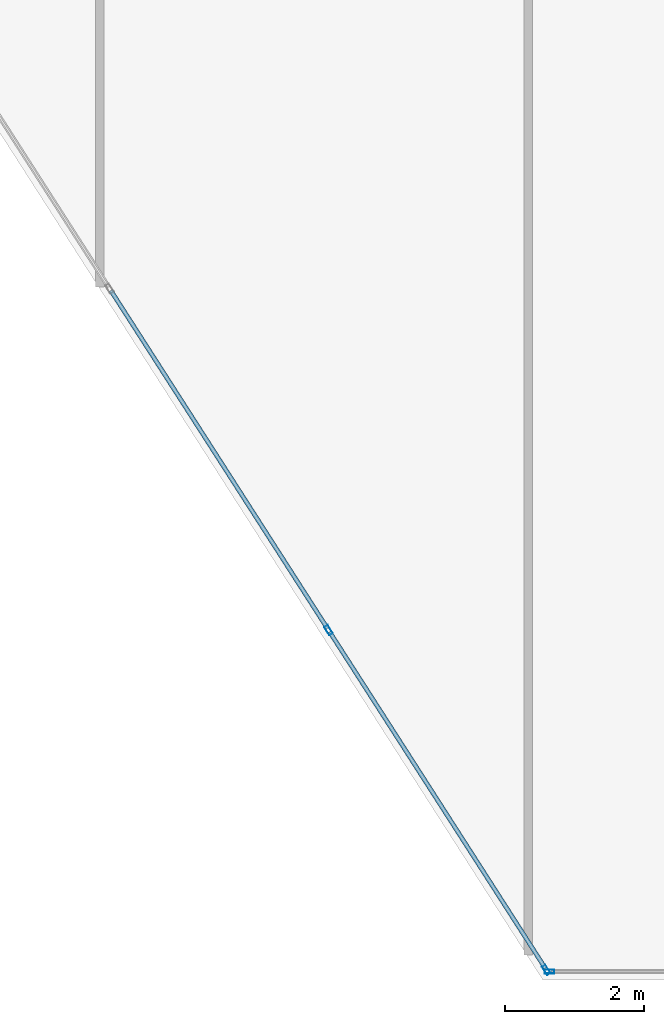
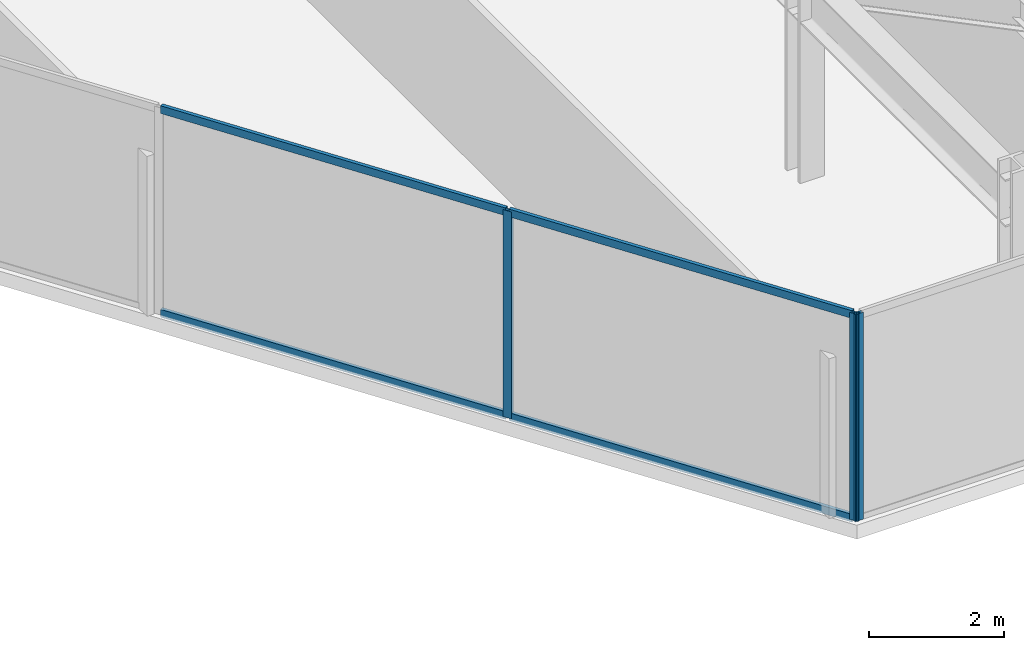
# One storey, part 15 of 26: 7 members, 2 elements without a shape of their own.
"""IFC4 building model written with IfcOpenShell, lengths in metres."""

from ifc_helpers import new_model, si_unit, direction, frame, origin, origin_2d, place, context, subcontext, project, spatial, hollow_rectangle, extrude, material, layer, layer_set, material_profile, profile_set, type_object, element, aggregate, save


model = new_model("IFC4")

# Units and contexts
model_context = context("Model", 3, precision=1e-05, world=origin(), true_north=direction((0.0, 1.0)))
body_context = subcontext(model_context, "Body", "Model", "MODEL_VIEW")
ifc_project = project(units=[si_unit("LENGTHUNIT", "METRE"), si_unit("AREAUNIT", "SQUARE_METRE"), si_unit("VOLUMEUNIT", "CUBIC_METRE"), si_unit("PLANEANGLEUNIT", "RADIAN"), si_unit("MASSUNIT", "GRAM", prefix="KILO")], contexts=[model_context])

# Site, building, storey
site_placement = place(None, origin())
site = spatial("IfcSite", under=ifc_project, at=site_placement, CompositionType="ELEMENT")
building_placement = place(site_placement, origin())
building = spatial("IfcBuilding", under=site, at=building_placement, Name="Kravanh Interchange Tower", CompositionType="ELEMENT")
storey_placement = place(building_placement, frame((0.0, 0.0, 140.0)))
storey = spatial("IfcBuildingStorey", under=building, at=storey_placement, Name="L33", CompositionType="ELEMENT", Elevation=140.0)

# Curtain wall, member
ifc_material_1 = material(Name="Anodised Bronze Aluminium", Category="aluminium")
ifc_layer = layer(ifc_material_1, 0.179931640625)
ifc_layer_set = layer_set([ifc_layer], Name="Unitised Curtain Wall System CW-Z2 Mid Office")
curtain_wall_type = type_object("IfcCurtainWallType", Name="Unitised Curtain Wall System CW-Z2 Mid Office", PredefinedType="NOTDEFINED", material=ifc_layer_set)
curtain_wall_1_placement = place(storey_placement, origin())
curtain_wall_1 = element("IfcCurtainWall", 1, at=curtain_wall_1_placement, inside=storey, type_object=curtain_wall_type, Name="L33 Unitised Curtain Wall CW-L33-03", PredefinedType="NOTDEFINED")
ifc_material_2 = material(Name="Anodised Bronze Aluminium", Category="aluminium")
ifc_material_profile_1 = material_profile(ifc_material_2, hollow_rectangle(XDim=0.06005859375, YDim=0.139892578125, WallThickness=0.00390625, at=origin_2d()), Name="ALU60X140X4")
ifc_profile_set_1 = profile_set([ifc_material_profile_1], Name="Anodised Bronze Aluminium")
member_type_1 = type_object("IfcMemberType", Name="Curtain Wall Mullion ALU60X140X4 Bronze", PredefinedType="MULLION", material=ifc_profile_set_1)
member_1_placement = place(storey_placement, frame((52.195556640625, 6.320068359375, 0.0), z_axis=(0.0, 0.0, 1.0), x_axis=(0.0, -1.0, 0.0)))
member_1 = element("IfcMember", 2, at=member_1_placement, type_object=member_type_1, Name="CW-Z2 mullion 3", PredefinedType="MULLION", context=body_context, shape_type="SweptSolid", body=[
    extrude(hollow_rectangle(XDim=0.06005859375, YDim=0.139892578125, WallThickness=0.00390625, at=origin_2d()), origin(), (0.0, 0.0, 1.0), 3.75),
])
aggregate(curtain_wall_1, [member_1])

# Curtain wall, members
curtain_wall_2_placement = place(storey_placement, origin())
curtain_wall_2 = element("IfcCurtainWall", 3, at=curtain_wall_2_placement, inside=storey, type_object=curtain_wall_type, Name="L33 Unitised Curtain Wall CW-L33-04", PredefinedType="NOTDEFINED")
member_2_placement = place(storey_placement, frame((52.1494140625, 6.34521484375, 0.0), z_axis=(0.0, 0.0, 1.0), x_axis=(-0.841879939476, -0.539664865919, 0.0)))
member_2 = element("IfcMember", 4, at=member_2_placement, type_object=member_type_1, Name="CW-Z2 mullion 1", PredefinedType="MULLION", context=body_context, shape_type="SweptSolid", body=[
    extrude(hollow_rectangle(XDim=0.06005859375, YDim=0.139892578125, WallThickness=0.00390625, at=origin_2d()), origin(), (0.0, 0.0, 1.0), 3.75),
])
member_3_placement = place(storey_placement, frame((49.024169921875, 11.220703125, 0.0), z_axis=(0.0, 0.0, 1.0), x_axis=(-0.841879939476, -0.539664865919, 0.0)))
member_3 = element("IfcMember", 5, at=member_3_placement, type_object=member_type_1, Name="CW-Z2 mullion 2", PredefinedType="MULLION", context=body_context, shape_type="SweptSolid", body=[
    extrude(hollow_rectangle(XDim=0.06005859375, YDim=0.139892578125, WallThickness=0.00390625, at=origin_2d()), origin(), (0.0, 0.0, 1.0), 3.75),
])
ifc_material_3 = material(Name="Anodised Bronze Aluminium", Category="aluminium")
ifc_material_profile_2 = material_profile(ifc_material_3, hollow_rectangle(XDim=0.06005859375, YDim=0.139892578125, WallThickness=0.00390625, at=origin_2d()), Name="ALU60X140X4")
ifc_profile_set_2 = profile_set([ifc_material_profile_2], Name="Anodised Bronze Aluminium")
member_type_2 = type_object("IfcMemberType", Name="Curtain Wall Transom ALU60X140X4 Bronze", PredefinedType="USERDEFINED", material=ifc_profile_set_2)
member_4_placement = place(storey_placement, frame((52.13330078125, 6.37060546875, 0.030029296875), z_axis=(-0.539697855812, 0.841858791266, 0.0), x_axis=(-0.841858791266, -0.539697855812, 0.0)))
member_4 = element("IfcMember", 6, at=member_4_placement, type_object=member_type_2, Name="CW-Z2 transom 1.1", ObjectType="TRANSOM", PredefinedType="USERDEFINED", context=body_context, shape_type="SweptSolid", body=[
    extrude(hollow_rectangle(XDim=0.06005859375, YDim=0.139892578125, WallThickness=0.00390625, at=origin_2d()), origin(), (0.0, 0.0, 1.0), 5.73095703125),
])
member_5_placement = place(storey_placement, frame((52.13330078125, 6.37060546875, 3.719970703125), z_axis=(-0.539697855812, 0.841858791266, 0.0), x_axis=(-0.841858791266, -0.539697855812, 0.0)))
member_5 = element("IfcMember", 7, at=member_5_placement, type_object=member_type_2, Name="CW-Z2 transom 1.2", ObjectType="TRANSOM", PredefinedType="USERDEFINED", context=body_context, shape_type="SweptSolid", body=[
    extrude(hollow_rectangle(XDim=0.06005859375, YDim=0.139892578125, WallThickness=0.00390625, at=origin_2d()), origin(), (0.0, 0.0, 1.0), 5.73095703125),
])
member_6_placement = place(storey_placement, frame((49.008056640625, 11.245849609375, 0.030029296875), z_axis=(-0.539677666788, 0.84187173368, 0.0), x_axis=(-0.84187173368, -0.539677666788, 0.0)))
member_6 = element("IfcMember", 8, at=member_6_placement, type_object=member_type_2, Name="CW-Z2 transom 2.1", ObjectType="TRANSOM", PredefinedType="USERDEFINED", context=body_context, shape_type="SweptSolid", body=[
    extrude(hollow_rectangle(XDim=0.06005859375, YDim=0.139892578125, WallThickness=0.00390625, at=origin_2d()), origin(), (0.0, 0.0, 1.0), 5.760986328125),
])
member_7_placement = place(storey_placement, frame((49.008056640625, 11.245849609375, 3.719970703125), z_axis=(-0.539677666788, 0.84187173368, 0.0), x_axis=(-0.84187173368, -0.539677666788, 0.0)))
member_7 = element("IfcMember", 9, at=member_7_placement, type_object=member_type_2, Name="CW-Z2 transom 2.2", ObjectType="TRANSOM", PredefinedType="USERDEFINED", context=body_context, shape_type="SweptSolid", body=[
    extrude(hollow_rectangle(XDim=0.06005859375, YDim=0.139892578125, WallThickness=0.00390625, at=origin_2d()), origin(), (0.0, 0.0, 1.0), 5.760986328125),
])
aggregate(curtain_wall_2, [member_2, member_3, member_4, member_5, member_6, member_7])

save(model, "model.ifc")
